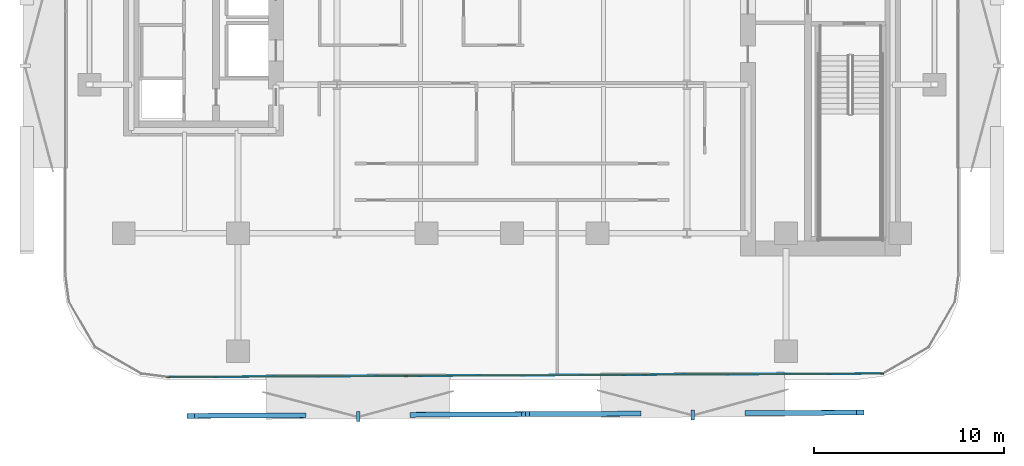
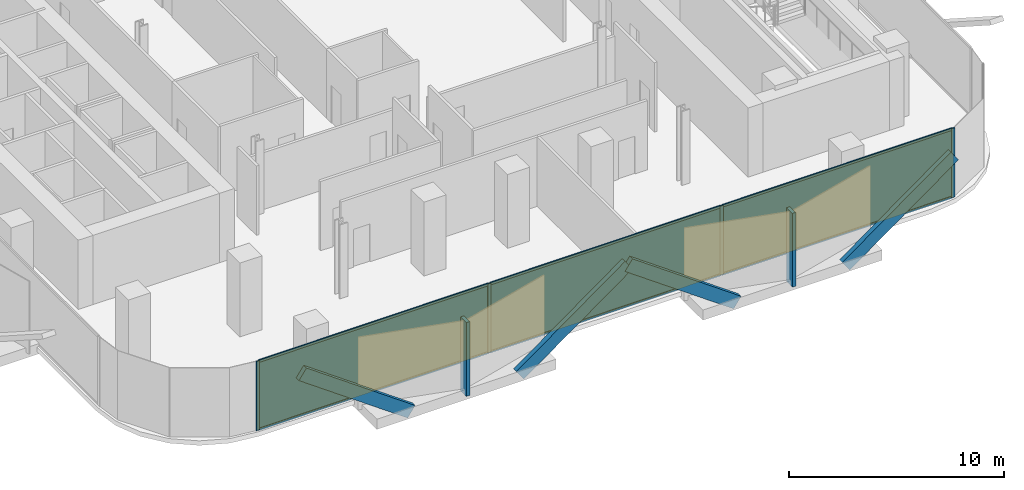
# One storey, part 7 of 15: 16 members, 3 plates, 1 curtain wall.
"""IFC4 building model written with IfcOpenShell, lengths in metres."""

from ifc_helpers import new_model, si_unit, direction, frame, frame_2d, origin, origin_2d, place, context, subcontext, project, spatial, rectangle, extrude, material, layer, layer_set, material_profile, profile_set, type_object, element, aggregate, save


model = new_model("IFC4")

# Units and contexts
model_context = context("Model", 3, precision=1e-05, world=origin(), true_north=direction((0.0, 1.0)))
body_context = subcontext(model_context, "Body", "Model", "MODEL_VIEW")
ifc_project = project(units=[si_unit("LENGTHUNIT", "METRE"), si_unit("AREAUNIT", "SQUARE_METRE"), si_unit("VOLUMEUNIT", "CUBIC_METRE"), si_unit("PLANEANGLEUNIT", "RADIAN"), si_unit("MASSUNIT", "GRAM", prefix="KILO")], contexts=[model_context])

# Member
ifc_material_1 = material(Name="Anodised Bronze Aluminium 6063-T6", Category="aluminium")
ifc_material_profile_1 = material_profile(ifc_material_1, rectangle(XDim=0.260009765625, YDim=0.699951171875, at=origin_2d()))
ifc_profile_set_1 = profile_set([ifc_material_profile_1], Name="Anodised Bronze Aluminium 6063-T6")
member_type_1 = type_object("IfcMemberType", Name="Bronze Diamond Solar-Screen Lattice Rib BDL-700", PredefinedType="MULLION", material=ifc_profile_set_1)
site_placement = place(None, origin())
building_placement = place(site_placement, origin())
storey_placement = place(building_placement, frame((0.0, 0.0, 101.60009765625)))
member_1_placement = place(storey_placement, frame((6.571044921875, -28.079345703125, -0.130126953125), z_axis=(-0.812934840677, -0.003994433113, 0.582340956243), x_axis=(-0.007759286777, 0.999962004517, -0.003972781225)))
member_1 = element("IfcMember", 1, at=member_1_placement, type_object=member_type_1, Name="L23 Bronze Diamond Solar Screen Lattice Rib 129A", PredefinedType="MULLION", context=body_context, shape_type="SweptSolid", body=[
    extrude(rectangle(XDim=0.260009765625, YDim=0.699951171875, at=origin_2d()), origin(), (0.0, 0.0, 1.0), 7.212158203125),
])

member_2_placement = place(storey_placement, frame((12.43408203125, -28.05078125, -0.130126953125), z_axis=(0.812934840677, 0.003994433113, 0.582340956243), x_axis=(0.007759286777, -0.999962004517, -0.003972781225)))
member_2 = element("IfcMember", 2, at=member_2_placement, type_object=member_type_1, Name="L23 Bronze Diamond Solar Screen Lattice Rib 129B", PredefinedType="MULLION", context=body_context, shape_type="SweptSolid", body=[
    extrude(rectangle(XDim=0.260009765625, YDim=0.699951171875, at=origin_2d()), origin(), (0.0, 0.0, 1.0), 7.212158203125),
])

member_3_placement = place(storey_placement, frame((-11.017822265625, -28.165283203125, -0.130126953125), z_axis=(-0.812934840677, -0.003994433113, 0.582340956243), x_axis=(-0.007759286777, 0.999962004517, -0.003972781225)))
member_3 = element("IfcMember", 3, at=member_3_placement, type_object=member_type_1, Name="L23 Bronze Diamond Solar Screen Lattice Rib 130A", PredefinedType="MULLION", context=body_context, shape_type="SweptSolid", body=[
    extrude(rectangle(XDim=0.260009765625, YDim=0.699951171875, at=origin_2d()), origin(), (0.0, 0.0, 1.0), 7.212158203125),
])

member_4_placement = place(storey_placement, frame((-5.15478515625, -28.13671875, -0.130126953125), z_axis=(0.812923469496, 0.00396069151, 0.582357060287), x_axis=(0.007717930273, -0.999962324795, -0.003972724849)))
member_4 = element("IfcMember", 4, at=member_4_placement, type_object=member_type_1, Name="L23 Bronze Diamond Solar Screen Lattice Rib 130B", PredefinedType="MULLION", context=body_context, shape_type="SweptSolid", body=[
    extrude(rectangle(XDim=0.260009765625, YDim=0.699951171875, at=origin_2d()), origin(), (0.0, 0.0, 1.0), 7.2119140625),
])

ifc_material_2 = material(Name="Anodised Bronze Aluminium 6063-T6", Category="aluminium")
ifc_material_profile_2 = material_profile(ifc_material_2, rectangle(XDim=0.179931640625, YDim=0.5400390625, at=origin_2d()))
ifc_profile_set_2 = profile_set([ifc_material_profile_2], Name="Anodised Bronze Aluminium 6063-T6")
member_type_2 = type_object("IfcMemberType", Name="Bronze Solar-Screen Vertical Fold Fin BSF-540", PredefinedType="MULLION", material=ifc_profile_set_2)
member_5_placement = place(storey_placement, frame((9.5029296875, -28.14501953125, -0.130126953125), z_axis=(0.0, 0.0, 1.0), x_axis=(-0.999988059021, -0.004886902454, 0.0)))
member_5 = element("IfcMember", 5, at=member_5_placement, type_object=member_type_2, Name="L23 Bronze Solar Screen Vertical Fin 129", PredefinedType="MULLION", context=body_context, shape_type="SweptSolid", body=[
    extrude(rectangle(XDim=0.179931640625, YDim=0.5400390625, at=origin_2d()), origin(), (0.0, 0.0, 1.0), 4.199951171875),
])

member_6_placement = place(storey_placement, frame((-8.0859375, -28.231201171875, -0.130126953125), z_axis=(0.0, 0.0, 1.0), x_axis=(-0.999988059021, -0.004886902454, 0.0)))
member_6 = element("IfcMember", 6, at=member_6_placement, type_object=member_type_2, Name="L23 Bronze Solar Screen Vertical Fin 130", PredefinedType="MULLION", context=body_context, shape_type="SweptSolid", body=[
    extrude(rectangle(XDim=0.179931640625, YDim=0.5400390625, at=origin_2d()), origin(), (0.0, 0.0, 1.0), 4.199951171875),
])

ifc_material_3 = material(Name="Anodised Bronze Aluminium 6063-T6", Category="aluminium")
ifc_material_profile_3 = material_profile(ifc_material_3, rectangle(XDim=0.06494140625, YDim=0.175048828125, at=origin_2d()))
ifc_profile_set_3 = profile_set([ifc_material_profile_3], Name="Anodised Bronze Aluminium 6063-T6")
member_type_3 = type_object("IfcMemberType", Name="CW-Z2 Mullion 65x175", PredefinedType="MULLION", material=ifc_profile_set_3)
member_7_placement = place(storey_placement, frame((19.45458984375, -25.976318359375, 0.0), z_axis=(0.0, 0.0, 1.0), x_axis=(0.004891127252, -0.999988038366, 0.0)))
member_7 = element("IfcMember", 7, at=member_7_placement, type_object=member_type_3, Name="CW-Z2 mullion 1", PredefinedType="MULLION", context=body_context, shape_type="SweptSolid", body=[
    extrude(rectangle(XDim=0.06494140625, YDim=0.175048828125, at=origin_2d()), origin(), (0.0, 0.0, 1.0), 3.93994140625),
])

member_8_placement = place(storey_placement, frame((6.961181640625, -26.037353515625, 0.0), z_axis=(0.0, 0.0, 1.0), x_axis=(0.004891127252, -0.999988038366, 0.0)))
member_8 = element("IfcMember", 8, at=member_8_placement, type_object=member_type_3, Name="CW-Z2 mullion 2", PredefinedType="MULLION", context=body_context, shape_type="SweptSolid", body=[
    extrude(rectangle(XDim=0.06494140625, YDim=0.175048828125, at=origin_2d()), origin(), (0.0, 0.0, 1.0), 3.93994140625),
])

member_9_placement = place(storey_placement, frame((-5.56494140625, -26.0986328125, 0.0), z_axis=(0.0, 0.0, 1.0), x_axis=(0.004891127252, -0.999988038366, 0.0)))
member_9 = element("IfcMember", 9, at=member_9_placement, type_object=member_type_3, Name="CW-Z2 mullion 3", PredefinedType="MULLION", context=body_context, shape_type="SweptSolid", body=[
    extrude(rectangle(XDim=0.06494140625, YDim=0.175048828125, at=origin_2d()), origin(), (0.0, 0.0, 1.0), 3.93994140625),
])

member_10_placement = place(storey_placement, frame((-18.058349609375, -26.159912109375, 0.0), z_axis=(0.0, 0.0, 1.0), x_axis=(0.004891127252, -0.999988038366, 0.0)))
member_10 = element("IfcMember", 10, at=member_10_placement, type_object=member_type_3, Name="CW-Z2 mullion 4", PredefinedType="MULLION", context=body_context, shape_type="SweptSolid", body=[
    extrude(rectangle(XDim=0.06494140625, YDim=0.175048828125, at=origin_2d()), origin(), (0.0, 0.0, 1.0), 3.93994140625),
])

ifc_material_4 = material(Name="Anodised Bronze Aluminium 6063-T6", Category="aluminium")
ifc_material_profile_4 = material_profile(ifc_material_4, rectangle(XDim=0.06494140625, YDim=0.135009765625, at=origin_2d()))
ifc_profile_set_4 = profile_set([ifc_material_profile_4], Name="Anodised Bronze Aluminium 6063-T6")
member_type_4 = type_object("IfcMemberType", Name="CW-Z2 Transom 65x135", PredefinedType="USERDEFINED", material=ifc_profile_set_4)
member_11_placement = place(storey_placement, frame((19.422119140625, -25.9765625, 0.032470703125), z_axis=(-0.999988037942, -0.00489121381, 0.0), x_axis=(0.00489121381, -0.999988037942, 0.0)))
member_11 = element("IfcMember", 11, at=member_11_placement, type_object=member_type_4, Name="CW-Z2 transom 1.1", ObjectType="TRANSOM", PredefinedType="USERDEFINED", context=body_context, shape_type="SweptSolid", body=[
    extrude(rectangle(XDim=0.06494140625, YDim=0.135009765625, at=origin_2d()), origin(), (0.0, 0.0, 1.0), 12.4287109375),
])

member_12_placement = place(storey_placement, frame((19.422119140625, -25.9765625, 3.907470703125), z_axis=(-0.999988037942, -0.00489121381, 0.0), x_axis=(0.00489121381, -0.999988037942, 0.0)))
member_12 = element("IfcMember", 12, at=member_12_placement, type_object=member_type_4, Name="CW-Z2 transom 1.2", ObjectType="TRANSOM", PredefinedType="USERDEFINED", context=body_context, shape_type="SweptSolid", body=[
    extrude(rectangle(XDim=0.06494140625, YDim=0.135009765625, at=origin_2d()), origin(), (0.0, 0.0, 1.0), 12.4287109375),
])

member_13_placement = place(storey_placement, frame((6.928466796875, -26.03759765625, 0.032470703125), z_axis=(-0.99998800443, -0.004898060367, 0.0), x_axis=(0.004898060367, -0.99998800443, 0.0)))
member_13 = element("IfcMember", 13, at=member_13_placement, type_object=member_type_4, Name="CW-Z2 transom 2.1", ObjectType="TRANSOM", PredefinedType="USERDEFINED", context=body_context, shape_type="SweptSolid", body=[
    extrude(rectangle(XDim=0.06494140625, YDim=0.135009765625, at=origin_2d()), origin(), (0.0, 0.0, 1.0), 12.461181640625),
])

member_14_placement = place(storey_placement, frame((6.928466796875, -26.03759765625, 3.907470703125), z_axis=(-0.99998800443, -0.004898060367, 0.0), x_axis=(0.004898060367, -0.99998800443, 0.0)))
member_14 = element("IfcMember", 14, at=member_14_placement, type_object=member_type_4, Name="CW-Z2 transom 2.2", ObjectType="TRANSOM", PredefinedType="USERDEFINED", context=body_context, shape_type="SweptSolid", body=[
    extrude(rectangle(XDim=0.06494140625, YDim=0.135009765625, at=origin_2d()), origin(), (0.0, 0.0, 1.0), 12.461181640625),
])

member_15_placement = place(storey_placement, frame((-5.597412109375, -26.098876953125, 0.032470703125), z_axis=(-0.999988037942, -0.00489121381, 0.0), x_axis=(0.00489121381, -0.999988037942, 0.0)))
member_15 = element("IfcMember", 15, at=member_15_placement, type_object=member_type_4, Name="CW-Z2 transom 3.1", ObjectType="TRANSOM", PredefinedType="USERDEFINED", context=body_context, shape_type="SweptSolid", body=[
    extrude(rectangle(XDim=0.06494140625, YDim=0.135009765625, at=origin_2d()), origin(), (0.0, 0.0, 1.0), 12.4287109375),
])

member_16_placement = place(storey_placement, frame((-5.597412109375, -26.098876953125, 3.907470703125), z_axis=(-0.999988037942, -0.00489121381, 0.0), x_axis=(0.00489121381, -0.999988037942, 0.0)))
member_16 = element("IfcMember", 16, at=member_16_placement, type_object=member_type_4, Name="CW-Z2 transom 3.2", ObjectType="TRANSOM", PredefinedType="USERDEFINED", context=body_context, shape_type="SweptSolid", body=[
    extrude(rectangle(XDim=0.06494140625, YDim=0.135009765625, at=origin_2d()), origin(), (0.0, 0.0, 1.0), 12.4287109375),
])

# Plate
ifc_material_5 = material(Name="Low-E Solar Control Laminated Glass", Category="glass")
ifc_layer_1 = layer(ifc_material_5, 0.028076171875, Name="Low-E Solar Control Laminated Glass")
ifc_layer_set_1 = layer_set([ifc_layer_1], Name="Low-E Solar Control Laminated Glass")
plate_type = type_object("IfcPlateType", Name="CW-Z2 Low-E Double Glazed Panel 28mm", PredefinedType="CURTAIN_PANEL", material=ifc_layer_set_1)
plate_1_placement = place(storey_placement, frame((13.207763671875, -26.0068359375, 0.06494140625), z_axis=(0.0, 0.0, 1.0), x_axis=(-0.999988038366, -0.004891127252, 0.0)))
plate_1 = element("IfcPlate", 17, at=plate_1_placement, type_object=plate_type, Name="CW-Z2 panel 1.1", PredefinedType="CURTAIN_PANEL", context=body_context, shape_type="SweptSolid", body=[
    extrude(rectangle(XDim=12.428466796875, YDim=0.028076171875, at=origin_2d()), origin(), (0.0, 0.0, 1.0), 3.81005859375),
])

plate_2_placement = place(storey_placement, frame((0.697998046875, -26.068115234375, 0.06494140625), z_axis=(0.0, 0.0, 1.0), x_axis=(-0.999988038366, -0.004891127252, 0.0)))
plate_2 = element("IfcPlate", 18, at=plate_2_placement, type_object=plate_type, Name="CW-Z2 panel 2.1", PredefinedType="CURTAIN_PANEL", context=body_context, shape_type="SweptSolid", body=[
    extrude(rectangle(XDim=12.461181640625, YDim=0.028076171875, at=origin_2d()), origin(), (0.0, 0.0, 1.0), 3.81005859375),
])

plate_3_placement = place(storey_placement, frame((-11.8115234375, -26.12939453125, 0.06494140625), z_axis=(0.0, 0.0, 1.0), x_axis=(-0.999988038366, -0.004891127252, 0.0)))
plate_3 = element("IfcPlate", 19, at=plate_3_placement, type_object=plate_type, Name="CW-Z2 panel 3.1", PredefinedType="CURTAIN_PANEL", context=body_context, shape_type="SweptSolid", body=[
    extrude(rectangle(XDim=12.428466796875, YDim=0.028076171875, at=origin_2d()), origin(), (0.0, 0.0, 1.0), 3.81005859375),
])

# Site, building, storey
site = spatial("IfcSite", under=ifc_project, at=site_placement, CompositionType="ELEMENT")
building = spatial("IfcBuilding", under=site, at=building_placement, Name="Khairoan Windgate Tower", CompositionType="ELEMENT")
storey = spatial("IfcBuildingStorey", under=building, at=storey_placement, Name="L23", CompositionType="ELEMENT", Elevation=101.60009765625)

# Curtain wall
ifc_material_6 = material(Name="Anodised Bronze Aluminium 6063-T6", Category="aluminium")
ifc_layer_2 = layer(ifc_material_6, 0.175048828125, Name="Anodised Bronze Aluminium 6063-T6")
ifc_layer_set_2 = layer_set([ifc_layer_2], Name="Anodised Bronze Aluminium 6063-T6")
curtain_wall_type = type_object("IfcCurtainWallType", Name="Mid-Rise Office Unitised Curtain Wall CW-Z2", PredefinedType="NOTDEFINED", material=ifc_layer_set_2)
curtain_wall_placement = place(storey_placement, frame((19.487060546875, -25.976318359375, 0.0), z_axis=(0.0, 0.0, 1.0), x_axis=(-0.999988065247, -0.004885628318, 0.0)))
curtain_wall = element("IfcCurtainWall", 20, at=curtain_wall_placement, inside=storey, type_object=curtain_wall_type, Name="L23 Unitised Curtain Wall 1", PredefinedType="NOTDEFINED", context=body_context, shape_type="SweptSolid", body=[
    extrude(rectangle(XDim=37.578369140625, YDim=0.010009765625, at=frame_2d((18.7890625, 0.0))), origin(), (0.0, 0.0, 1.0), 3.93994140625),
])

aggregate(curtain_wall, [member_7, member_8, member_9, member_10, member_11, member_12, plate_1, member_13, member_14, plate_2, member_15, member_16, plate_3, member_1, member_2, member_5, member_3, member_4, member_6])

save(model, "model.ifc")
